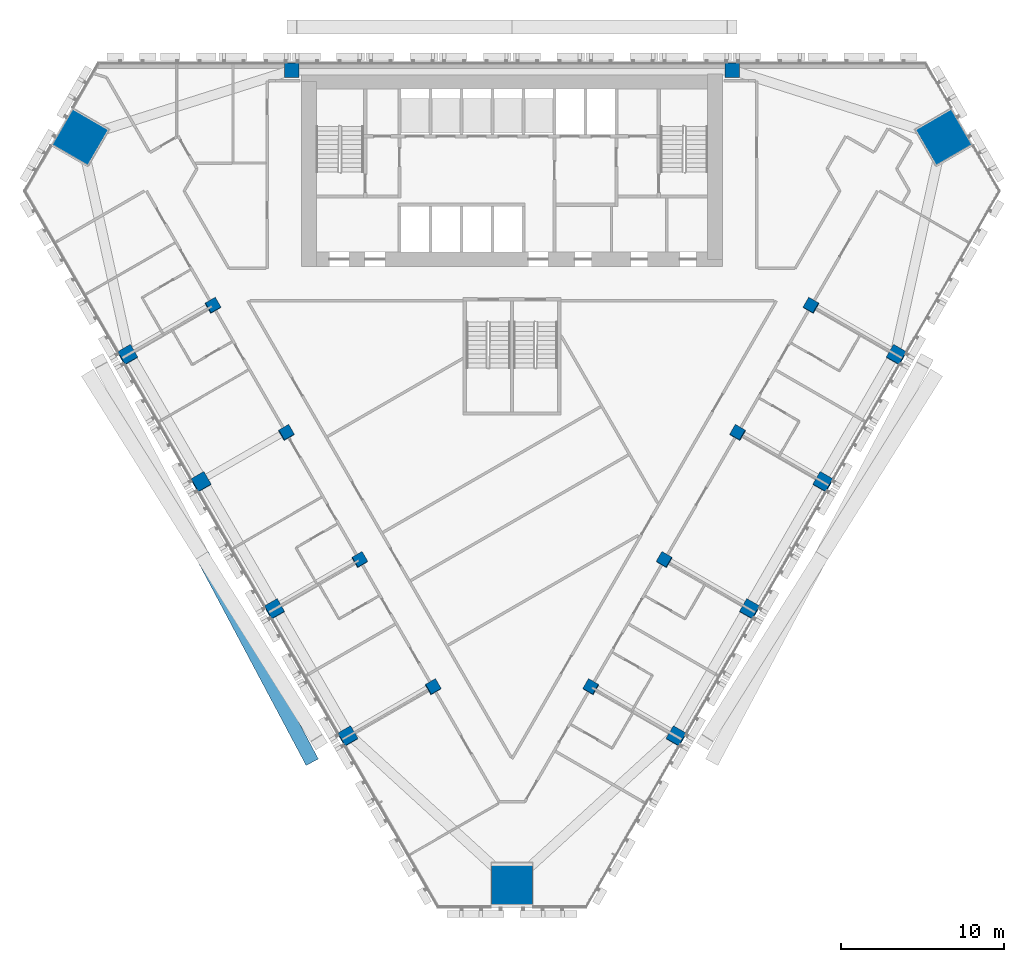
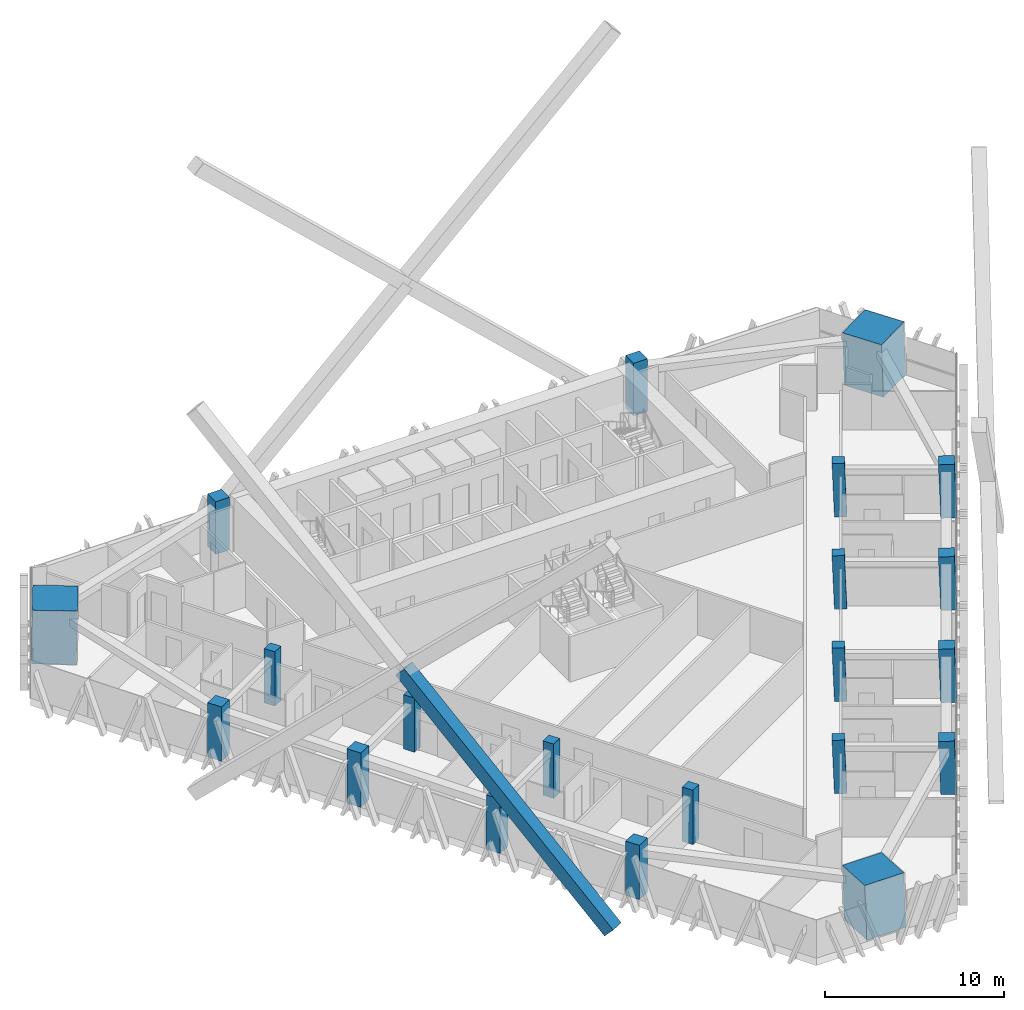
# One storey, part 1 of 19: 21 columns, 1 member.
"""IFC4 building model written with IfcOpenShell, lengths in metres."""

from ifc_helpers import new_model, si_unit, direction, frame, origin, origin_2d, place, context, subcontext, project, spatial, rectangle, hollow_rectangle, extrude, material, material_profile, profile_set, type_object, element, save


model = new_model("IFC4")

# Units and contexts
model_context = context("Model", 3, precision=1e-05, world=origin(), true_north=direction((0.0, 1.0)))
body_context = subcontext(model_context, "Body", "Model", "MODEL_VIEW")
ifc_project = project(units=[si_unit("LENGTHUNIT", "METRE"), si_unit("AREAUNIT", "SQUARE_METRE"), si_unit("VOLUMEUNIT", "CUBIC_METRE"), si_unit("PLANEANGLEUNIT", "RADIAN"), si_unit("MASSUNIT", "GRAM", prefix="KILO")], contexts=[model_context])

# Site, building, storey
site_placement = place(None, origin())
site = spatial("IfcSite", under=ifc_project, at=site_placement, CompositionType="ELEMENT")
building_placement = place(site_placement, origin())
building = spatial("IfcBuilding", under=site, at=building_placement, Name="Altiplano Prism Tower", CompositionType="ELEMENT")
storey_placement = place(building_placement, frame((0.0, 0.0, 70.199951171875)))
storey = spatial("IfcBuildingStorey", under=building, at=storey_placement, Name="L17", CompositionType="ELEMENT", Elevation=70.199951171875)

# Columns
ifc_material_1 = material(Name="Concrete C60/75", Category="concrete")
ifc_material_profile_1 = material_profile(ifc_material_1, rectangle(XDim=0.699951171875, YDim=0.699951171875, at=origin_2d()), Name="Inner column 700")
ifc_profile_set_1 = profile_set([ifc_material_profile_1], Name="Concrete C60/75")
column_type_1 = type_object("IfcColumnType", Name="Inner column 700", PredefinedType="COLUMN", material=ifc_profile_set_1)
for number, where, z_axis, x_axis, name in (
    (1, (66.652099609375, 90.10302734375, -0.021240234375), (0.022153634206, 0.038480930364, 0.999013730882), (-0.864979737564, -0.50033126583, 0.038453582882), "Inner column I11 L17"),
    (2, (71.152099609375, 82.308837890625, -0.021240234375), (0.022153634206, 0.038480930364, 0.999013730882), (-0.864982441191, -0.500326600935, 0.038453463149), "Inner column I12 L17"),
    (3, (75.652099609375, 74.5146484375, -0.021240234375), (0.02215369191, 0.038413282303, 0.999016333038), (-0.865364670574, -0.499669107893, 0.038402728296), "Inner column I13 L17"),
    (4, (80.152099609375, 66.720458984375, -0.021240234375), (0.02215369191, 0.038413282303, 0.999016333038), (-0.865364679312, -0.499669092789, 0.038402727909), "Inner column I14 L17"),
    (5, (89.847900390625, 66.720458984375, -0.021240234375), (-0.02215369191, 0.038413282303, 0.999016333038), (-0.500652759639, -0.865364210869, 0.022171982582), "Inner column I21 L17"),
    (6, (94.347900390625, 74.5146484375, -0.021240234375), (-0.02215369191, 0.038413282303, 0.999016333038), (-0.500652774743, -0.865364202149, 0.022171981912), "Inner column I22 L17"),
    (7, (98.847900390625, 82.308837890625, -0.021240234375), (-0.022153634206, 0.038480930364, 0.999013730882), (-0.501312869297, -0.864981219678, 0.022201276585), "Inner column I23 L17"),
    (8, (103.347900390625, 90.10302734375, -0.021240234375), (-0.022153634206, 0.038480930364, 0.999013730882), (-0.501312884394, -0.864981210945, 0.022201275913), "Inner column I24 L17"),
):
    element("IfcColumn", number, at=place(storey_placement, frame(where, z_axis=z_axis, x_axis=x_axis)), inside=storey, type_object=column_type_1, Name=name, PredefinedType="COLUMN", context=body_context, shape_type="SweptSolid", body=[
        extrude(rectangle(XDim=0.699951171875, YDim=0.699951171875, at=origin_2d()), origin(), (0.0, 0.0, 1.0), 3.603759765625),
    ])
ifc_material_2 = material(Name="Concrete C70/85", Category="concrete")
ifc_material_profile_2 = material_profile(ifc_material_2, rectangle(XDim=2.52001953125, YDim=2.52001953125, at=origin_2d()), Name="Mega column infill 2600")
ifc_profile_set_2 = profile_set([ifc_material_profile_2], Name="Concrete C70/85")
column_type_2 = type_object("IfcColumnType", Name="Mega column infill 2600", PredefinedType="COLUMN", material=ifc_profile_set_2)
column_1_placement = place(storey_placement, frame((58.479736328125, 100.419921875, 0.0), z_axis=(0.028401814599, 0.009218727412, 0.999554076572), x_axis=(-0.865120105842, 0.501167447702, 0.019959755287)))
element("IfcColumn", 9, at=column_1_placement, inside=storey, type_object=column_type_2, Name="Mega column M0 L17", PredefinedType="COLUMN", context=body_context, shape_type="SweptSolid", body=[
    extrude(rectangle(XDim=2.52001953125, YDim=2.52001953125, at=origin_2d()), origin(), (0.0, 0.0, 1.0), 3.601806640625),
])
column_2_placement = place(storey_placement, frame((85.0, 54.4853515625, 0.0), z_axis=(0.0, 0.058356907999, 0.998295783467), x_axis=(-1.0, 0.0, 0.0)))
element("IfcColumn", 10, at=column_2_placement, inside=storey, type_object=column_type_2, Name="Mega column M1 L17", PredefinedType="COLUMN", context=body_context, shape_type="SweptSolid", body=[
    extrude(rectangle(XDim=2.52001953125, YDim=2.52001953125, at=origin_2d()), origin(), (0.0, 0.0, 1.0), 3.606201171875),
])
column_3_placement = place(storey_placement, frame((111.520263671875, 100.419921875, 0.0), z_axis=(-0.028401814599, 0.009218727412, 0.999554076572), x_axis=(0.500759961853, -0.865301221788, 0.022209371367)))
element("IfcColumn", 11, at=column_3_placement, inside=storey, type_object=column_type_2, Name="Mega column M2 L17", PredefinedType="COLUMN", context=body_context, shape_type="SweptSolid", body=[
    extrude(rectangle(XDim=2.52001953125, YDim=2.52001953125, at=origin_2d()), origin(), (0.0, 0.0, 1.0), 3.601806640625),
])
ifc_material_profile_3 = material_profile(ifc_material_1, rectangle(XDim=0.89990234375, YDim=0.89990234375, at=origin_2d()), Name="Perimeter column 900")
ifc_profile_set_3 = profile_set([ifc_material_profile_3], Name="Concrete C60/75")
column_type_3 = type_object("IfcColumnType", Name="Perimeter column 900", PredefinedType="COLUMN", material=ifc_profile_set_3)
for number, where, z_axis, x_axis, name in (
    (12, (98.5, 104.550048828125, 0.0), (0.0, 0.0, 1.0), (1.0, 0.0, 0.0), "Perimeter column P01 L17"),
    (13, (71.5, 104.550048828125, 0.0), (0.0, 0.0, 1.0), (1.0, 0.0, 0.0), "Perimeter column P04 L17"),
):
    element("IfcColumn", number, at=place(storey_placement, frame(where, z_axis=z_axis, x_axis=x_axis)), inside=storey, type_object=column_type_3, Name=name, PredefinedType="COLUMN", context=body_context, shape_type="SweptSolid", body=[
        extrude(rectangle(XDim=0.89990234375, YDim=0.89990234375, at=origin_2d()), origin(), (0.0, 0.0, 1.0), 3.60009765625),
    ])
for number, where, z_axis, x_axis, name in (
    (14, (61.412353515625, 87.077880859375, -0.02734375), (0.022221406801, 0.038413224561, 0.999014831351), (-0.866021388936, -0.498527757451, 0.038432134412), "Perimeter column P11 L17"),
    (15, (65.912353515625, 79.28369140625, -0.02734375), (0.022221406801, 0.038413224561, 0.999014831351), (-0.86602408283, -0.498523086928, 0.038432014747), "Perimeter column P12 L17"),
    (16, (70.412353515625, 71.489501953125, -0.02734375), (0.022221406801, 0.038413224561, 0.999014831351), (-0.866024056676, -0.498523132273, 0.038432015909), "Perimeter column P13 L17"),
    (17, (74.912353515625, 63.695068359375, -0.02734375), (0.02222134892, 0.038480872521, 0.999012229206), (-0.86564209878, -0.499182168802, 0.038482712619), "Perimeter column P14 L17"),
    (18, (95.087646484375, 63.695068359375, -0.02734375), (-0.02222134892, 0.038480872521, 0.999012229206), (-0.500169939593, -0.865642180581, 0.022218162104), "Perimeter column P21 L17"),
    (19, (99.587646484375, 71.489501953125, -0.02734375), (-0.022221406801, 0.038413224561, 0.999014831351), (-0.499508300569, -0.866024890386, 0.022188891243), "Perimeter column P22 L17"),
    (20, (104.087646484375, 79.28369140625, -0.02734375), (-0.022221406801, 0.038413224561, 0.999014831351), (-0.499508255225, -0.866024916488, 0.022188893255), "Perimeter column P23 L17"),
    (21, (108.587646484375, 87.077880859375, -0.02734375), (-0.022221406801, 0.038413224561, 0.999014831351), (-0.499508270339, -0.866024907787, 0.022188892584), "Perimeter column P24 L17"),
):
    element("IfcColumn", number, at=place(storey_placement, frame(where, z_axis=z_axis, x_axis=x_axis)), inside=storey, type_object=column_type_3, Name=name, PredefinedType="COLUMN", context=body_context, shape_type="SweptSolid", body=[
        extrude(rectangle(XDim=0.89990234375, YDim=0.89990234375, at=origin_2d()), origin(), (0.0, 0.0, 1.0), 3.603759765625),
    ])

# Member
ifc_material_3 = material(Name="Steel S355", Category="steel")
ifc_material_profile_4 = material_profile(ifc_material_3, hollow_rectangle(XDim=0.85009765625, YDim=0.85009765625, WallThickness=0.0400390625, at=origin_2d()), Name="Mega brace Box 850x850x40")
ifc_profile_set_4 = profile_set([ifc_material_profile_4], Name="Steel S355")
member_type = type_object("IfcMemberType", Name="Mega brace Box 850x850x40", PredefinedType="BRACE", material=ifc_profile_set_4)
member_placement = place(storey_placement, frame((72.6181640625, 62.37109375, -0.849853515625), z_axis=(-0.34515103862, 0.649538257495, 0.677473846425), x_axis=(-0.883068490023, -0.469244117628, 0.0)))
element("IfcMember", 22, at=member_placement, inside=storey, type_object=member_type, Name="Mega brace 2.1.3", PredefinedType="BRACE", context=body_context, shape_type="SweptSolid", body=[
    extrude(hollow_rectangle(XDim=0.85009765625, YDim=0.85009765625, WallThickness=0.0400390625, at=origin_2d()), origin(), (0.0, 0.0, 1.0), 18.74609375),
])

save(model, "model.ifc")
